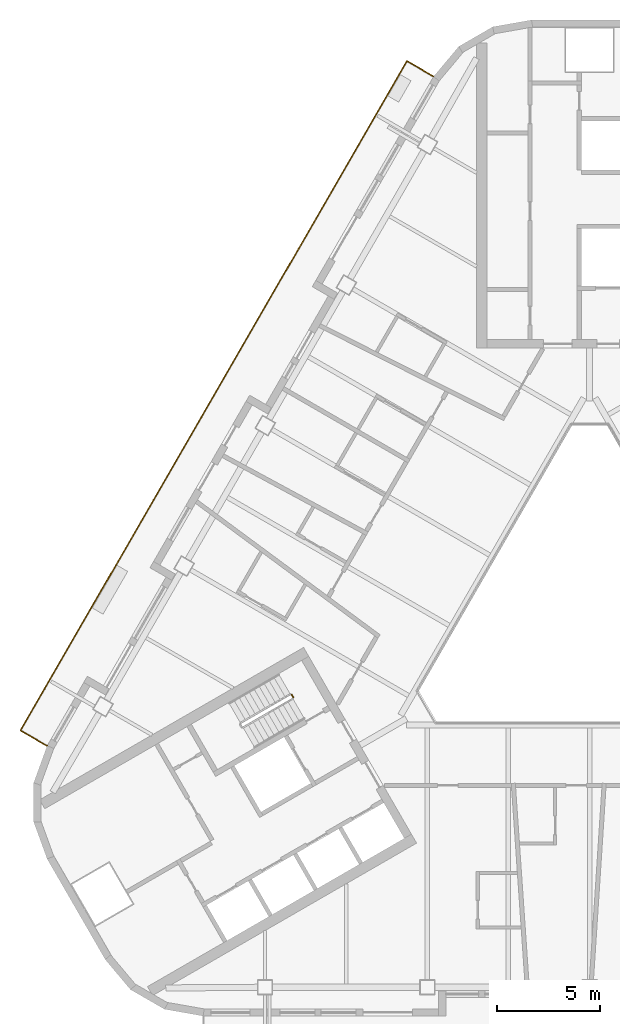
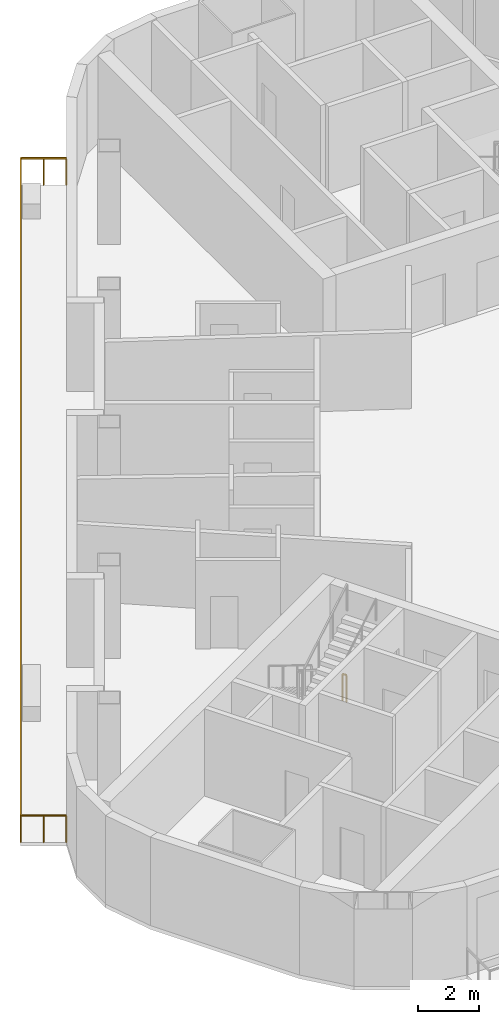
# One storey, part 11 of 14: 2 railings.
"""IFC4 building model written with IfcOpenShell, lengths in metres."""

from ifc_helpers import new_model, si_unit, direction, frame, origin, origin_2d, place, context, subcontext, project, spatial, rectangle, extrude, material, type_object, element, save


model = new_model("IFC4")

# Units and contexts
model_context = context("Model", 3, precision=1e-05, world=origin(), true_north=direction((0.0, 1.0)))
body_context = subcontext(model_context, "Body", "Model", "MODEL_VIEW")
ifc_project = project(units=[si_unit("LENGTHUNIT", "METRE"), si_unit("AREAUNIT", "SQUARE_METRE"), si_unit("VOLUMEUNIT", "CUBIC_METRE"), si_unit("PLANEANGLEUNIT", "RADIAN"), si_unit("MASSUNIT", "GRAM", prefix="KILO")], contexts=[model_context])

# Site, building, storey
site_placement = place(None, origin())
site = spatial("IfcSite", under=ifc_project, at=site_placement, CompositionType="ELEMENT")
building_placement = place(site_placement, origin())
building = spatial("IfcBuilding", under=site, at=building_placement, Name="Apuvela Tower Hotel", CompositionType="ELEMENT")
storey_placement = place(building_placement, frame((0.0, 0.0, 205.800048828125)))
storey = spatial("IfcBuildingStorey", under=building, at=storey_placement, Name="L50", CompositionType="ELEMENT", Elevation=205.800048828125)

# Railings
ifc_material_1 = material(Name="Steel S275 balustrade", Category="steel")
railing_type_1 = type_object("IfcRailingType", Name="COR-GUARD-1100", PredefinedType="GUARDRAIL", material=ifc_material_1)
railing_1_placement = place(storey_placement, frame((-14.500732421875, -3.984130859375, 0.0)))
element("IfcRailing", 1, at=railing_1_placement, inside=storey, type_object=railing_type_1, Name="L50 ST2 stair guard 4", PredefinedType="GUARDRAIL", context=body_context, shape_type="SweptSolid", body=[
    extrude(rectangle(XDim=0.048095703125, YDim=0.048095703125, at=origin_2d()), frame((0.0, 0.0, 1.076171875), z_axis=(0.499816412211, -0.866131372301, 0.0), x_axis=(0.866131372301, 0.499816412211, 0.0)), (0.0, 0.0, 1.0), 0.14990234375),
    extrude(rectangle(XDim=0.0419921875, YDim=0.0419921875, at=origin_2d()), origin(), (0.0, 0.0, 1.0), 1.052001953125),
    extrude(rectangle(XDim=0.0419921875, YDim=0.0419921875, at=origin_2d()), frame((0.074951171875, -0.1298828125, 0.0)), (0.0, 0.0, 1.0), 1.052001953125),
])
ifc_material_2 = material(Name="Stainless steel 316 rail with laminated glass infill", Category="steel")
railing_type_2 = type_object("IfcRailingType", Name="ENV-GUARD-1100", PredefinedType="GUARDRAIL", material=ifc_material_2)
railing_2_placement = place(storey_placement, frame((-7.59228515625, 26.110107421875, 0.0)))
element("IfcRailing", 2, at=railing_2_placement, inside=storey, type_object=railing_type_2, Name="Balcony guard NW L50", PredefinedType="GUARDRAIL", context=body_context, shape_type="SweptSolid", body=[
    extrude(rectangle(XDim=0.050048828125, YDim=0.050048828125, at=origin_2d()), frame((0.0, 0.0, 1.0751953125), z_axis=(-0.86599040064, 0.500060622324, 0.0), x_axis=(-0.500060622324, -0.86599040064, 0.0)), (0.0, 0.0, 1.0), 1.499755859375),
    extrude(rectangle(XDim=0.050048828125, YDim=0.050048828125, at=origin_2d()), frame((-1.298828125, 0.75, 1.0751953125), z_axis=(-0.500000437506, -0.86602515119, 0.0), x_axis=(0.86602515119, -0.500000437506, 0.0)), (0.0, 0.0, 1.0), 37.6318359375),
    extrude(rectangle(XDim=0.050048828125, YDim=0.050048828125, at=origin_2d()), frame((-20.11474609375, -31.840087890625, 1.0751953125), z_axis=(0.866031096941, -0.499990139034, 0.0), x_axis=(0.499990139034, 0.866031096941, 0.0)), (0.0, 0.0, 1.0), 1.5),
    extrude(rectangle(XDim=0.0400390625, YDim=0.0400390625, at=origin_2d()), origin(), (0.0, 0.0, 1.0), 1.050048828125),
    extrude(rectangle(XDim=0.0400390625, YDim=0.0400390625, at=origin_2d()), frame((-0.6494140625, 0.375, 0.0)), (0.0, 0.0, 1.0), 1.050048828125),
    extrude(rectangle(XDim=0.0400390625, YDim=0.0400390625, at=origin_2d()), frame((-1.298828125, 0.75, 0.0)), (0.0, 0.0, 1.0), 1.050048828125),
    extrude(rectangle(XDim=0.0400390625, YDim=0.0400390625, at=origin_2d()), frame((-1.88671875, -0.2685546875, 0.0)), (0.0, 0.0, 1.0), 1.050048828125),
    extrude(rectangle(XDim=0.0400390625, YDim=0.0400390625, at=origin_2d()), frame((-2.474853515625, -1.286865234375, 0.0)), (0.0, 0.0, 1.0), 1.050048828125),
    extrude(rectangle(XDim=0.0400390625, YDim=0.0400390625, at=origin_2d()), frame((-3.062744140625, -2.305419921875, 0.0)), (0.0, 0.0, 1.0), 1.050048828125),
    extrude(rectangle(XDim=0.0400390625, YDim=0.0400390625, at=origin_2d()), frame((-3.65087890625, -3.32373046875, 0.0)), (0.0, 0.0, 1.0), 1.050048828125),
    extrude(rectangle(XDim=0.0400390625, YDim=0.0400390625, at=origin_2d()), frame((-4.23876953125, -4.34228515625, 0.0)), (0.0, 0.0, 1.0), 1.050048828125),
    extrude(rectangle(XDim=0.0400390625, YDim=0.0400390625, at=origin_2d()), frame((-4.826904296875, -5.360595703125, 0.0)), (0.0, 0.0, 1.0), 1.050048828125),
    extrude(rectangle(XDim=0.0400390625, YDim=0.0400390625, at=origin_2d()), frame((-5.414794921875, -6.379150390625, 0.0)), (0.0, 0.0, 1.0), 1.050048828125),
    extrude(rectangle(XDim=0.0400390625, YDim=0.0400390625, at=origin_2d()), frame((-6.0029296875, -7.3974609375, 0.0)), (0.0, 0.0, 1.0), 1.050048828125),
    extrude(rectangle(XDim=0.0400390625, YDim=0.0400390625, at=origin_2d()), frame((-6.5908203125, -8.416015625, 0.0)), (0.0, 0.0, 1.0), 1.050048828125),
    extrude(rectangle(XDim=0.0400390625, YDim=0.0400390625, at=origin_2d()), frame((-7.1787109375, -9.434326171875, 0.0)), (0.0, 0.0, 1.0), 1.050048828125),
    extrude(rectangle(XDim=0.0400390625, YDim=0.0400390625, at=origin_2d()), frame((-7.766845703125, -10.452880859375, 0.0)), (0.0, 0.0, 1.0), 1.050048828125),
    extrude(rectangle(XDim=0.0400390625, YDim=0.0400390625, at=origin_2d()), frame((-8.354736328125, -11.47119140625, 0.0)), (0.0, 0.0, 1.0), 1.050048828125),
    extrude(rectangle(XDim=0.0400390625, YDim=0.0400390625, at=origin_2d()), frame((-8.94287109375, -12.48974609375, 0.0)), (0.0, 0.0, 1.0), 1.050048828125),
    extrude(rectangle(XDim=0.0400390625, YDim=0.0400390625, at=origin_2d()), frame((-9.53076171875, -13.508056640625, 0.0)), (0.0, 0.0, 1.0), 1.050048828125),
    extrude(rectangle(XDim=0.0400390625, YDim=0.0400390625, at=origin_2d()), frame((-10.118896484375, -14.526611328125, 0.0)), (0.0, 0.0, 1.0), 1.050048828125),
    extrude(rectangle(XDim=0.0400390625, YDim=0.0400390625, at=origin_2d()), frame((-10.706787109375, -15.544921875, 0.0)), (0.0, 0.0, 1.0), 1.050048828125),
    extrude(rectangle(XDim=0.0400390625, YDim=0.0400390625, at=origin_2d()), frame((-11.294677734375, -16.5634765625, 0.0)), (0.0, 0.0, 1.0), 1.050048828125),
    extrude(rectangle(XDim=0.0400390625, YDim=0.0400390625, at=origin_2d()), frame((-11.8828125, -17.58203125, 0.0)), (0.0, 0.0, 1.0), 1.050048828125),
    extrude(rectangle(XDim=0.0400390625, YDim=0.0400390625, at=origin_2d()), frame((-12.470703125, -18.600341796875, 0.0)), (0.0, 0.0, 1.0), 1.050048828125),
    extrude(rectangle(XDim=0.0400390625, YDim=0.0400390625, at=origin_2d()), frame((-13.058837890625, -19.618896484375, 0.0)), (0.0, 0.0, 1.0), 1.050048828125),
    extrude(rectangle(XDim=0.0400390625, YDim=0.0400390625, at=origin_2d()), frame((-13.646728515625, -20.63720703125, 0.0)), (0.0, 0.0, 1.0), 1.050048828125),
    extrude(rectangle(XDim=0.0400390625, YDim=0.0400390625, at=origin_2d()), frame((-14.23486328125, -21.65576171875, 0.0)), (0.0, 0.0, 1.0), 1.050048828125),
    extrude(rectangle(XDim=0.0400390625, YDim=0.0400390625, at=origin_2d()), frame((-14.82275390625, -22.674072265625, 0.0)), (0.0, 0.0, 1.0), 1.050048828125),
    extrude(rectangle(XDim=0.0400390625, YDim=0.0400390625, at=origin_2d()), frame((-15.41064453125, -23.692626953125, 0.0)), (0.0, 0.0, 1.0), 1.050048828125),
    extrude(rectangle(XDim=0.0400390625, YDim=0.0400390625, at=origin_2d()), frame((-15.998779296875, -24.7109375, 0.0)), (0.0, 0.0, 1.0), 1.050048828125),
    extrude(rectangle(XDim=0.0400390625, YDim=0.0400390625, at=origin_2d()), frame((-16.586669921875, -25.7294921875, 0.0)), (0.0, 0.0, 1.0), 1.050048828125),
    extrude(rectangle(XDim=0.0400390625, YDim=0.0400390625, at=origin_2d()), frame((-17.1748046875, -26.747802734375, 0.0)), (0.0, 0.0, 1.0), 1.050048828125),
    extrude(rectangle(XDim=0.0400390625, YDim=0.0400390625, at=origin_2d()), frame((-17.7626953125, -27.766357421875, 0.0)), (0.0, 0.0, 1.0), 1.050048828125),
    extrude(rectangle(XDim=0.0400390625, YDim=0.0400390625, at=origin_2d()), frame((-18.350830078125, -28.78466796875, 0.0)), (0.0, 0.0, 1.0), 1.050048828125),
    extrude(rectangle(XDim=0.0400390625, YDim=0.0400390625, at=origin_2d()), frame((-18.938720703125, -29.80322265625, 0.0)), (0.0, 0.0, 1.0), 1.050048828125),
    extrude(rectangle(XDim=0.0400390625, YDim=0.0400390625, at=origin_2d()), frame((-19.52685546875, -30.821533203125, 0.0)), (0.0, 0.0, 1.0), 1.050048828125),
    extrude(rectangle(XDim=0.0400390625, YDim=0.0400390625, at=origin_2d()), frame((-20.11474609375, -31.840087890625, 0.0)), (0.0, 0.0, 1.0), 1.050048828125),
    extrude(rectangle(XDim=0.0400390625, YDim=0.0400390625, at=origin_2d()), frame((-19.46533203125, -32.215087890625, 0.0)), (0.0, 0.0, 1.0), 1.050048828125),
    extrude(rectangle(XDim=0.0400390625, YDim=0.0400390625, at=origin_2d()), frame((-18.815673828125, -32.590087890625, 0.0)), (0.0, 0.0, 1.0), 1.050048828125),
])

save(model, "model.ifc")
